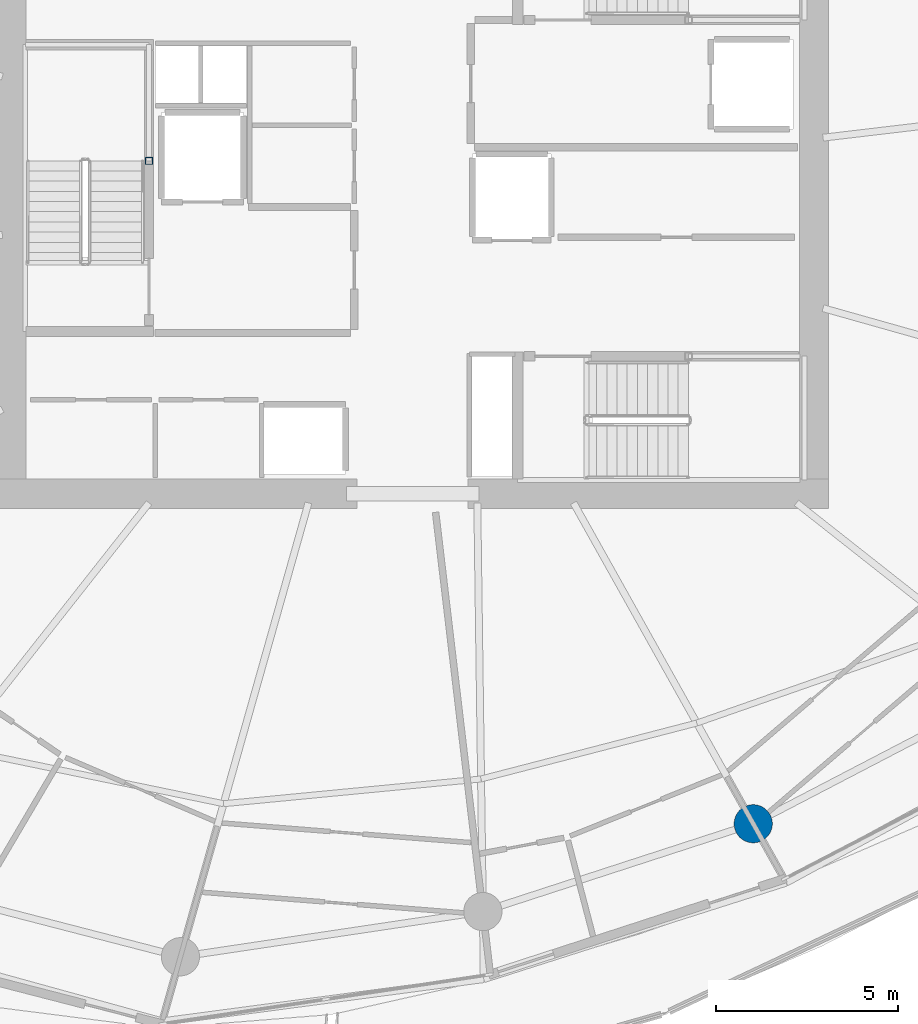
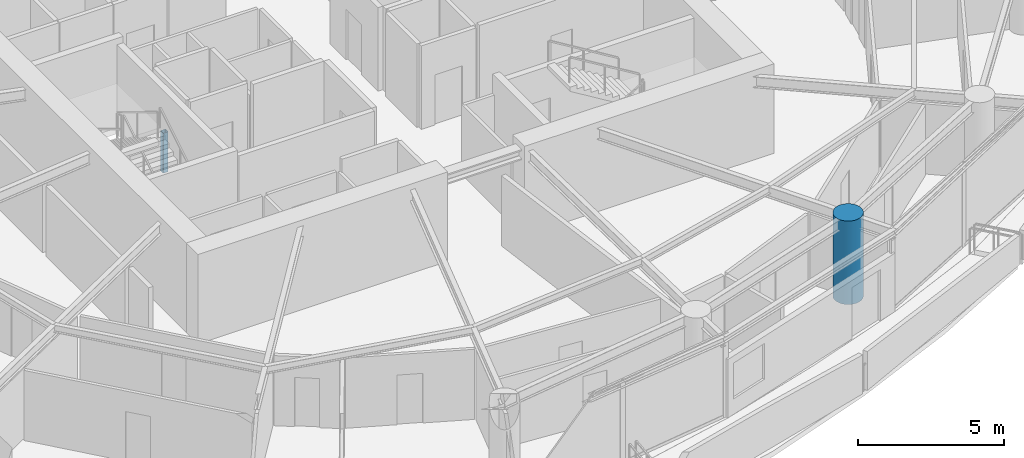
# One storey, part 2 of 20: 2 columns.
"""IFC4 building model written with IfcOpenShell, lengths in metres."""

import ifcopenshell
import ifcopenshell.guid

model = None  # the IFC model being written
_history = None  # IfcOwnerHistory: only IFC2X3 demands one
_inside = {}  # id of a spatial element -> (the spatial element, [elements in it])
_under = {}  # id of a project, library or spatial element -> (it, [spatial elements below it])
_declared = {}  # id of a project -> (the project, [libraries it declares])
_typed = {}  # id of a type object -> (the type object, [elements of that type])
_made_of = {}  # id of a material, layer set ... -> (it, [elements and type objects made of it])


def new_model(schema):
    """Start an empty IFC model of exactly this schema.

    Asked for "IFC4X3", IfcOpenShell would pick the latest addendum, in which some entities
    have other attributes; the version numbers below select the first issue.
    IFC2X3 requires an IfcOwnerHistory on every rooted entity: one is made here for all.
    """
    global model, _history
    if schema == "IFC4X3":
        model = ifcopenshell.file(schema_version=(4, 3, 0, 0))
    else:
        model = ifcopenshell.file(schema=schema)
    _inside.clear()
    _under.clear()
    _declared.clear()
    _typed.clear()
    _made_of.clear()
    _history = None
    if model.schema == "IFC2X3":
        org = make("IfcOrganization", Name="unknown")
        user = make(
            "IfcPersonAndOrganization",
            ThePerson=make("IfcPerson", FamilyName="unknown"),
            TheOrganization=org,
        )
        app = make(
            "IfcApplication",
            ApplicationDeveloper=org,
            Version="unknown",
            ApplicationFullName="unknown",
            ApplicationIdentifier="unknown",
        )
        _history = make(
            "IfcOwnerHistory",
            OwningUser=user,
            OwningApplication=app,
            ChangeAction="ADDED",
            CreationDate=0,
        )
    return model


def make(cls, **values):
    """One entity of the class cls with the attributes given. An attribute that is None is left unset."""
    return model.create_entity(
        cls, **{name: value for name, value in values.items() if value is not None}
    )


def rooted(cls, **values):
    """An entity with a GlobalId (a new one), such as an element, a storey or a relation."""
    return make(cls, GlobalId=ifcopenshell.guid.new(), OwnerHistory=_history, **values)


def si_unit(unit_type, name, prefix=None):
    """IfcSIUnit, for example si_unit("LENGTHUNIT", "METRE", prefix="MILLI")."""
    return make("IfcSIUnit", UnitType=unit_type, Prefix=prefix, Name=name)


def assignment(units):
    """IfcUnitAssignment: the units of a project."""
    return None if units is None else make("IfcUnitAssignment", Units=units)


def point(xyz):
    """IfcCartesianPoint."""
    return None if xyz is None else make("IfcCartesianPoint", Coordinates=xyz)


def direction(xyz):
    """IfcDirection."""
    return None if xyz is None else make("IfcDirection", DirectionRatios=xyz)


def frame(location, z_axis=None, x_axis=None):
    """IfcAxis2Placement3D, a coordinate frame: its origin and axes. An axis left out is left unset."""
    return make(
        "IfcAxis2Placement3D",
        Location=point(location),
        Axis=direction(z_axis),
        RefDirection=direction(x_axis),
    )


def frame_2d(location, x_axis=None):
    """IfcAxis2Placement2D, a coordinate frame in the plane: its origin and x axis."""
    return make(
        "IfcAxis2Placement2D", Location=point(location), RefDirection=direction(x_axis)
    )


def origin():
    """The frame at (0, 0, 0) with its axes left unset."""
    return frame((0.0, 0.0, 0.0))


def origin_2d():
    """The frame at (0, 0) in the plane with its x axis left unset."""
    return frame_2d((0.0, 0.0))


def place(relative_to, where):
    """IfcLocalPlacement: puts the frame where relative to a parent placement (None: the world)."""
    return make(
        "IfcLocalPlacement", PlacementRelTo=relative_to, RelativePlacement=where
    )


def context(
    kind, dimensions, precision=None, world=None, true_north=None, identifier=None
):
    """IfcGeometricRepresentationContext, for example the 3D "Model" context."""
    return make(
        "IfcGeometricRepresentationContext",
        ContextIdentifier=identifier,
        ContextType=kind,
        CoordinateSpaceDimension=dimensions,
        Precision=precision,
        WorldCoordinateSystem=world,
        TrueNorth=true_north,
    )


def subcontext(parent, identifier, kind, view, scale=None):
    """IfcGeometricRepresentationSubContext, for example "Body" below "Model"."""
    return make(
        "IfcGeometricRepresentationSubContext",
        ContextIdentifier=identifier,
        ContextType=kind,
        ParentContext=parent,
        TargetScale=scale,
        TargetView=view,
    )


def project(units=None, contexts=None):
    """IfcProject with its units and contexts."""
    return rooted(
        "IfcProject",
        Name="project",
        RepresentationContexts=contexts,
        UnitsInContext=assignment(units),
    )


def spatial(cls, under=None, at=None, **own):
    """A site, building, storey or space (cls), placed at a placement, below another one or the project."""
    s = rooted(cls, ObjectPlacement=at, **own)
    if under is not None:
        _under.setdefault(under.id(), (under, []))[1].append(s)
    return s


def profile(cls, at=None, kind="AREA", **sizes):
    """A parametric profile (cls). Its sizes go by their IFC names, for example OverallWidth=200.0."""
    return make(cls, ProfileType=kind, Position=at, **sizes)


def hollow_rectangle(**sizes):
    """IfcRectangleHollowProfileDef."""
    return profile("IfcRectangleHollowProfileDef", **sizes)


def circle(**sizes):
    """IfcCircleProfileDef."""
    return profile("IfcCircleProfileDef", **sizes)


def extrude(swept, where, along, depth):
    """IfcExtrudedAreaSolid: the profile swept, set in the frame where, extruded along a direction by depth."""
    return make(
        "IfcExtrudedAreaSolid",
        SweptArea=swept,
        Position=where,
        ExtrudedDirection=direction(along),
        Depth=depth,
    )


def shape(context_of_items, identifier, shape_type, items):
    """IfcShapeRepresentation: the items that make up one representation, for example the "Body"."""
    return make(
        "IfcShapeRepresentation",
        ContextOfItems=context_of_items,
        RepresentationIdentifier=identifier,
        RepresentationType=shape_type,
        Items=items,
    )


def material(Name=None, Category=None):
    """IfcMaterial."""
    return make("IfcMaterial", Name=Name, Category=Category)


def material_profile(
    of_material, cross_section, Name=None, Category=None, Priority=None
):
    """IfcMaterialProfile: a cross section and its material."""
    return make(
        "IfcMaterialProfile",
        Name=Name,
        Material=of_material,
        Profile=cross_section,
        Priority=Priority,
        Category=Category,
    )


def profile_set(profiles, Name=None, composite=None):
    """IfcMaterialProfileSet."""
    return make(
        "IfcMaterialProfileSet",
        Name=Name,
        MaterialProfiles=profiles,
        CompositeProfile=composite,
    )


def made_of(thing, what):
    """Note that an element or type object is made of a material, layer set ...; save() writes the relation."""
    if what is not None:
        _made_of.setdefault(what.id(), (what, []))[1].append(thing)
    return thing


def type_object(cls, material=None, **own):
    """A type object (cls), such as IfcWallType, which elements share."""
    return made_of(rooted(cls, **own), material)


def element(
    cls,
    number,
    at=None,
    inside=None,
    cuts=None,
    type_object=None,
    material=None,
    context=None,
    identifier="Body",
    shape_type=None,
    held_by="IfcProductDefinitionShape",
    body=None,
    shapes=None,
    **own,
):
    """One element of the class cls, such as IfcWall. Its Tag is "e" and its number.

    at: its placement. inside: the storey or other place that contains it. cuts: it is an
    opening in that element (IfcRelVoidsElement). A single representation is given by context,
    identifier, shape_type and body (its items); several are given by shapes. held_by: the class
    of the entity that holds the representations. save() writes the other relations.
    """
    e = rooted(cls, Tag="e%d" % number, ObjectPlacement=at, **own)
    if body is not None:
        shapes = [shape(context, identifier, shape_type, body)]
    if shapes is not None:
        e.Representation = make(held_by, Representations=shapes)
    if inside is not None:
        _inside.setdefault(inside.id(), (inside, []))[1].append(e)
    if cuts is not None:
        rooted(
            "IfcRelVoidsElement", RelatingBuildingElement=cuts, RelatedOpeningElement=e
        )
    if type_object is not None:
        _typed.setdefault(type_object.id(), (type_object, []))[1].append(e)
    return made_of(e, material)


def aggregate(whole, parts):
    """IfcRelAggregates: a whole, such as a stair, and the parts it consists of."""
    return rooted("IfcRelAggregates", RelatingObject=whole, RelatedObjects=parts)


def save(model, path):
    """Write the relations noted so far, then the file.

    IfcRelAggregates (storeys below a building ...), IfcRelContainedInSpatialStructure (elements
    in a storey), IfcRelDefinesByType, IfcRelAssociatesMaterial and IfcRelDeclares: one each for
    every whole, place, type object, material and project.
    """
    for whole, parts in _under.values():
        aggregate(whole, parts)
    for where, things in _inside.values():
        rooted(
            "IfcRelContainedInSpatialStructure",
            RelatedElements=things,
            RelatingStructure=where,
        )
    for kind, things in _typed.values():
        rooted("IfcRelDefinesByType", RelatedObjects=things, RelatingType=kind)
    for what, things in _made_of.values():
        rooted("IfcRelAssociatesMaterial", RelatedObjects=things, RelatingMaterial=what)
    for by, libraries in _declared.values():
        rooted("IfcRelDeclares", RelatingContext=by, RelatedDefinitions=libraries)
    model.write(path)


model = new_model("IFC4")

# Units and contexts
model_context = context("Model", 3, precision=1e-05, world=origin(), true_north=direction((0.0, 1.0)))
body_context = subcontext(model_context, "Body", "Model", "MODEL_VIEW")
ifc_project = project(units=[si_unit("LENGTHUNIT", "METRE"), si_unit("AREAUNIT", "SQUARE_METRE"), si_unit("VOLUMEUNIT", "CUBIC_METRE"), si_unit("PLANEANGLEUNIT", "RADIAN"), si_unit("MASSUNIT", "GRAM", prefix="KILO")], contexts=[model_context])

# Site, building, storey
site_placement = place(None, origin())
site = spatial("IfcSite", under=ifc_project, at=site_placement, CompositionType="ELEMENT")
building_placement = place(site_placement, origin())
building = spatial("IfcBuilding", under=site, at=building_placement, Name="Kazma Halo Residences", CompositionType="ELEMENT")
storey_placement = place(building_placement, frame((0.0, 0.0, 142.800048828125)))
storey = spatial("IfcBuildingStorey", under=building, at=storey_placement, Name="L35", CompositionType="ELEMENT", Elevation=142.800048828125)

# Columns
ifc_material_1 = material(Name="Steel S355", Category="steel")
ifc_material_profile_1 = material_profile(ifc_material_1, hollow_rectangle(XDim=0.199951171875, YDim=0.199951171875, WallThickness=0.010009765625, InnerFilletRadius=0.010009765625, OuterFilletRadius=0.02001953125, at=origin_2d()), Name="SHS200x200x10")
ifc_profile_set_1 = profile_set([ifc_material_profile_1], Name="Steel S355")
column_type_1 = type_object("IfcColumnType", Name="COL-LP-SHS200", PredefinedType="COLUMN", material=ifc_profile_set_1)
column_1_placement = place(storey_placement, frame((41.179931640625, 42.75, 0.0), z_axis=(0.0, 0.0, 1.0), x_axis=(1.0, 0.0, 0.0)))
element("IfcColumn", 1, at=column_1_placement, inside=storey, type_object=column_type_1, Name="L35 ST-01 landing pilaster 1", PredefinedType="COLUMN", context=body_context, shape_type="SweptSolid", body=[
    extrude(hollow_rectangle(XDim=0.199951171875, YDim=0.199951171875, WallThickness=0.010009765625, InnerFilletRadius=0.010009765625, OuterFilletRadius=0.02001953125, at=origin_2d()), origin(), (0.0, 0.0, 1.0), 1.669921875),
])
ifc_material_2 = material(Name="Concrete C80/95", Category="concrete")
ifc_material_profile_2 = material_profile(ifc_material_2, circle(Radius=0.52490234375, at=origin_2d()), Name="CIRC1050")
ifc_profile_set_2 = profile_set([ifc_material_profile_2], Name="Concrete C80/95")
column_type_2 = type_object("IfcColumnType", Name="COL-PERIM-1050", PredefinedType="COLUMN", material=ifc_profile_set_2)
column_2_placement = place(storey_placement, frame((57.781982421875, 24.53271484375, 0.0), z_axis=(0.0, 0.0, 1.0), x_axis=(1.0, 0.0, 0.0)))
element("IfcColumn", 2, at=column_2_placement, inside=storey, type_object=column_type_2, Name="L35 perimeter ring column P13", PredefinedType="COLUMN", context=body_context, shape_type="SweptSolid", body=[
    extrude(circle(Radius=0.52490234375, at=origin_2d()), origin(), (0.0, 0.0, 1.0), 3.5),
])

save(model, "model.ifc")
